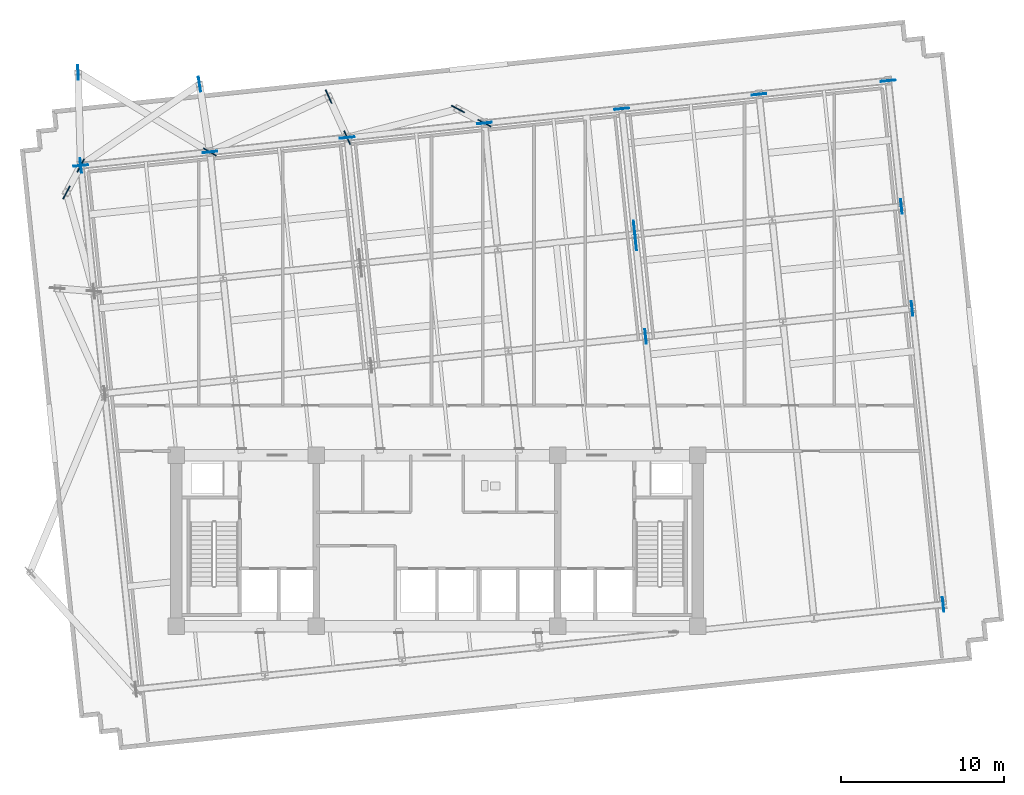
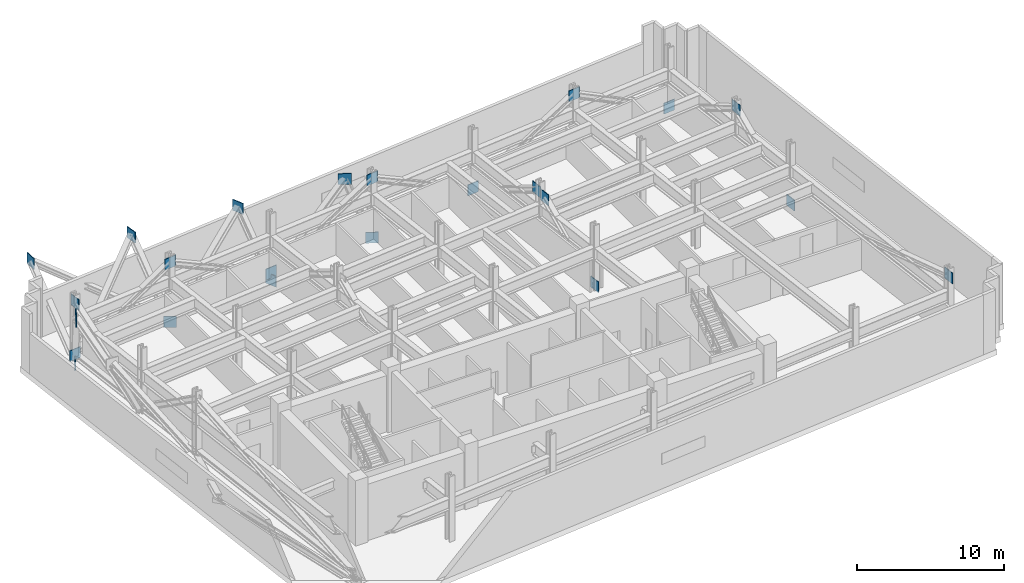
# One storey, part 5 of 11: 23 plates.
"""IFC4 building model written with IfcOpenShell, lengths in metres."""

from ifc_helpers import new_model, si_unit, direction, frame, origin, origin_2d, place, context, subcontext, project, spatial, rectangle, extrude, material, layer, layer_set, type_object, element, save


model = new_model("IFC4")

# Units and contexts
model_context = context("Model", 3, precision=1e-05, world=origin(), true_north=direction((0.0, 1.0)))
body_context = subcontext(model_context, "Body", "Model", "MODEL_VIEW")
ifc_project = project(units=[si_unit("LENGTHUNIT", "METRE"), si_unit("AREAUNIT", "SQUARE_METRE"), si_unit("VOLUMEUNIT", "CUBIC_METRE"), si_unit("PLANEANGLEUNIT", "RADIAN"), si_unit("MASSUNIT", "GRAM", prefix="KILO")], contexts=[model_context])

# Site, building, storey
site_placement = place(None, origin())
site = spatial("IfcSite", under=ifc_project, at=site_placement, CompositionType="ELEMENT")
building_placement = place(site_placement, origin())
building = spatial("IfcBuilding", under=site, at=building_placement, Name="Solmavex Isthmus Hotel", CompositionType="ELEMENT")
storey_placement = place(building_placement, frame((0.0, 0.0, 130.5)))
storey = spatial("IfcBuildingStorey", under=building, at=storey_placement, Name="L35", CompositionType="ELEMENT", Elevation=130.5)

# Plates
ifc_material = material(Name="Steel ASTM A572 Grade 50", Category="steel")
ifc_layer = layer(ifc_material, 0.06005859375)
ifc_layer_set = layer_set([ifc_layer], Name="Steel ASTM A572 Grade 50")
plate_type = type_object("IfcPlateType", Name="PLT-GUSSET-60", PredefinedType="USERDEFINED", material=ifc_layer_set)
for number, where, z_axis, x_axis, name in (
    (1, (-21.851806640625, 15.2587890625, -0.699951171875), (0.0, 0.0, 1.0), (-0.468808785904, -0.883299678625, 0.0), "Perimeter Bracket Gusset Plate L35 006"),
    (2, (-22.724853515625, 13.614013671875, 4.199951171875), (0.0, 0.0, 1.0), (-0.468808785904, -0.883299678625, 0.0), "Perimeter Bracket Gusset Plate L35 007"),
    (3, (-22.016357421875, 20.971923828125, 4.199951171875), (0.0, 0.0, 1.0), (-0.028776506308, 0.999585870591, 0.0), "Perimeter Bracket Gusset Plate L35 008"),
    (4, (-13.927490234375, 16.091552734375, -0.699951171875), (0.0, 0.0, 1.0), (-0.856231021685, 0.516593106327, 0.0), "Perimeter Bracket Gusset Plate L35 009"),
    (5, (-14.562744140625, 20.254150390625, 4.199951171875), (0.0, 0.0, 1.0), (-0.150881254701, 0.988551893924, 0.0), "Perimeter Bracket Gusset Plate L35 010"),
    (6, (-5.5078125, 16.9765625, -0.699951171875), (0.0, 0.0, 1.0), (-0.411514358605, 0.911403276635, 0.0), "Perimeter Bracket Gusset Plate L35 011"),
    (7, (-6.643310546875, 19.49169921875, 4.199951171875), (0.0, 0.0, 1.0), (-0.411514358605, 0.911403276635, 0.0), "Perimeter Bracket Gusset Plate L35 012"),
    (8, (2.911865234375, 17.861572265625, -0.699951171875), (0.0, 0.0, 1.0), (-0.883446915658, 0.468531265995, 0.0), "Perimeter Bracket Gusset Plate L35 013"),
    (9, (1.276123046875, 18.72900390625, 4.199951171875), (0.0, 0.0, 1.0), (-0.883446915658, 0.468531265995, 0.0), "Perimeter Bracket Gusset Plate L35 014"),
    (10, (-21.851806640625, 15.2587890625, -0.099853515625), (0.0, 0.0, 1.0), (0.994521895368, 0.104528463268, 0.0), "Outrigger and Belt Transfer Truss Node Gusset Plate L35 001"),
    (11, (-13.927490234375, 16.091552734375, 4.199951171875), (0.0, 0.0, 1.0), (0.994521895368, 0.104528463268, 0.0), "Outrigger and Belt Transfer Truss Node Gusset Plate L35 002"),
    (12, (-5.5078125, 16.9765625, -0.099853515625), (0.0, 0.0, 1.0), (0.994521895368, 0.104528463268, 0.0), "Outrigger and Belt Transfer Truss Node Gusset Plate L35 003"),
    (13, (2.911865234375, 17.861572265625, 4.199951171875), (0.0, 0.0, 1.0), (0.994521895368, 0.104528463268, 0.0), "Outrigger and Belt Transfer Truss Node Gusset Plate L35 004"),
    (14, (11.33154296875, 18.74658203125, -0.099853515625), (0.0, 0.0, 1.0), (0.994521895368, 0.104528463268, 0.0), "Outrigger and Belt Transfer Truss Node Gusset Plate L35 005"),
    (15, (19.751220703125, 19.63134765625, 4.199951171875), (0.0, 0.0, 1.0), (0.994521895368, 0.104528463268, 0.0), "Outrigger and Belt Transfer Truss Node Gusset Plate L35 006"),
    (16, (27.675537109375, 20.46435546875, -0.099853515625), (0.0, 0.0, 1.0), (0.994521895368, 0.104528463268, 0.0), "Outrigger and Belt Transfer Truss Node Gusset Plate L35 007"),
    (17, (-21.851806640625, 15.2587890625, 4.199951171875), (0.0, 0.0, 1.0), (-0.104528463268, 0.994521895368, 0.0), "Outrigger and Belt Transfer Truss Node Gusset Plate L35 011"),
    (18, (31.0517578125, -11.65869140625, 4.199951171875), (0.0, 0.0, 1.0), (-0.104528463268, 0.994521895368, 0.0), "Outrigger and Belt Transfer Truss Node Gusset Plate L35 012"),
    (19, (29.14404296875, 6.4912109375, -0.099853515625), (0.0, 0.0, 1.0), (-0.104528463268, 0.994521895368, 0.0), "Outrigger and Belt Transfer Truss Node Gusset Plate L35 013"),
    (20, (28.48583984375, 12.754638671875, 4.199951171875), (0.0, 0.0, 1.0), (-0.104528463268, 0.994521895368, 0.0), "Outrigger and Belt Transfer Truss Node Gusset Plate L35 014"),
    (21, (12.800048828125, 4.7734375, -0.099853515625), (0.0, 0.0, 1.0), (-0.104528463268, 0.994521895368, 0.0), "Outrigger and Belt Transfer Truss Node Gusset Plate L35 018"),
    (22, (12.197998046875, 10.503173828125, 3.83349609375), (0.0, 0.0, 1.0), (-0.104528463268, 0.994521895368, 0.0), "Outrigger and Belt Transfer Truss Node Gusset Plate L35 019"),
    (23, (12.099853515625, 11.43701171875, 3.976806640625), (0.0, 0.0, 1.0), (-0.104528463268, 0.994521895368, 0.0), "Outrigger and Belt Transfer Truss Node Gusset Plate L35 020"),
):
    element("IfcPlate", number, at=place(storey_placement, frame(where, z_axis=z_axis, x_axis=x_axis)), inside=storey, type_object=plate_type, Name=name, ObjectType="GUSSET_PLATE", PredefinedType="USERDEFINED", context=body_context, shape_type="SweptSolid", body=[
        extrude(rectangle(XDim=0.89990234375, YDim=0.06005859375, at=origin_2d()), origin(), (0.0, 0.0, 1.0), 0.89990234375),
    ])

save(model, "model.ifc")
